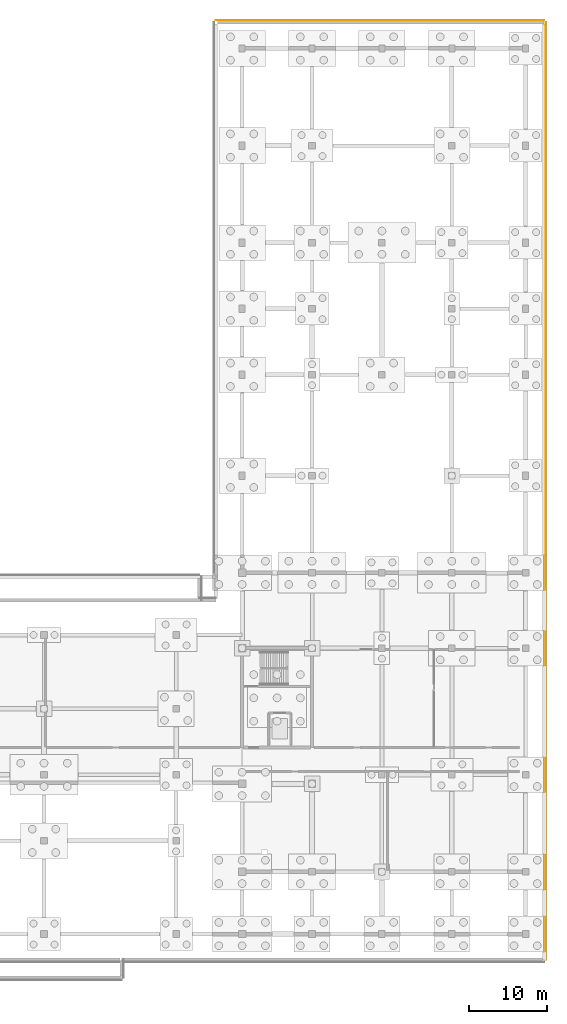
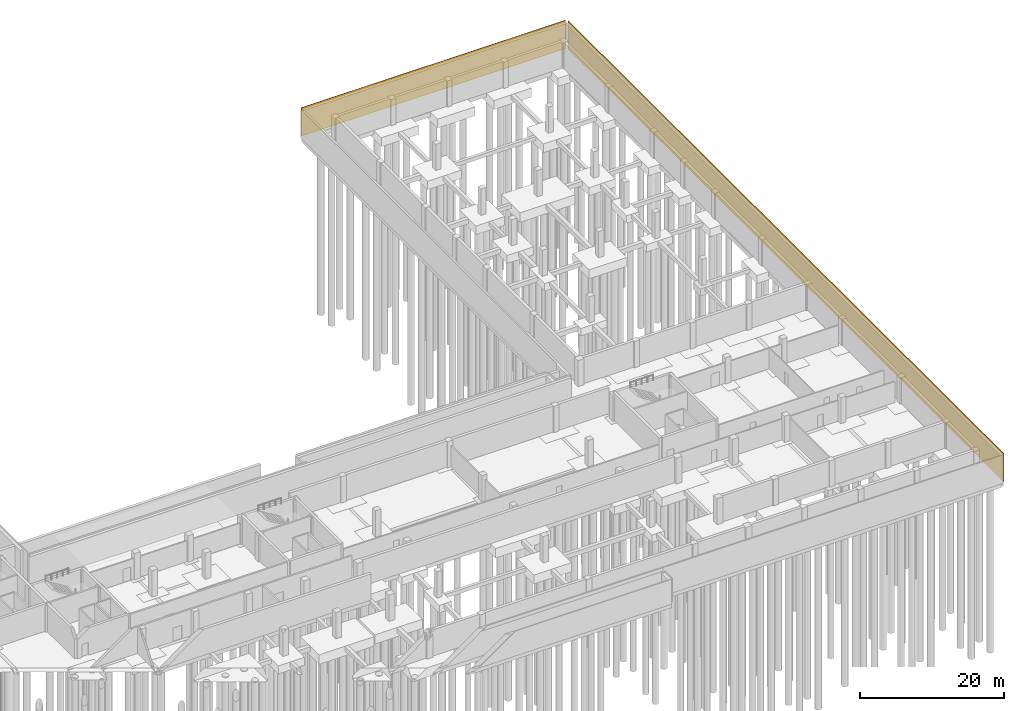
# One storey, part 24 of 25: 2 coverings.
"""IFC4 building model written with IfcOpenShell, lengths in metres."""

from ifc_helpers import new_model, si_unit, direction, frame, origin, origin_2d, place, context, subcontext, project, spatial, rectangle, extrude, material, layer, layer_set, type_object, element, save


model = new_model("IFC4")

# Units and contexts
model_context = context("Model", 3, precision=1e-05, world=origin(), true_north=direction((0.0, 1.0)))
body_context = subcontext(model_context, "Body", "Model", "MODEL_VIEW")
ifc_project = project(units=[si_unit("LENGTHUNIT", "METRE"), si_unit("AREAUNIT", "SQUARE_METRE"), si_unit("VOLUMEUNIT", "CUBIC_METRE"), si_unit("PLANEANGLEUNIT", "RADIAN"), si_unit("MASSUNIT", "GRAM", prefix="KILO")], contexts=[model_context])

# Site, building, storey
site_placement = place(None, origin())
site = spatial("IfcSite", under=ifc_project, at=site_placement, CompositionType="ELEMENT")
building_placement = place(site_placement, origin())
building = spatial("IfcBuilding", under=site, at=building_placement, Name="Solvikara Media Centre", CompositionType="ELEMENT")
storey_placement = place(building_placement, frame((0.0, 0.0, -4.800048828125)))
storey = spatial("IfcBuildingStorey", under=building, at=storey_placement, Name="B01", CompositionType="ELEMENT", Elevation=-4.800048828125)

# Coverings
ifc_material = material(Name="Reconstituted pale limestone flood-plinth cladding", Category="masonry")
ifc_layer = layer(ifc_material, 0.06005859375)
ifc_layer_set = layer_set([ifc_layer], Name="Reconstituted pale limestone flood-plinth cladding")
covering_type = type_object("IfcCoveringType", Name="CV-05", PredefinedType="CLADDING", material=ifc_layer_set)
covering_1_placement = place(storey_placement, frame((145.25, 117.635009765625, 0.0), z_axis=(0.0, 0.0, 1.0), x_axis=(1.0, 0.0, 0.0)))
element("IfcCovering", 1, at=covering_1_placement, inside=storey, type_object=covering_type, Name="PLN-NEE", PredefinedType="CLADDING", context=body_context, shape_type="SweptSolid", body=[
    extrude(rectangle(XDim=42.260009765625, YDim=0.06005859375, at=origin_2d()), origin(), (0.0, 0.0, 1.0), 4.800048828125),
])
covering_2_placement = place(storey_placement, frame((166.635009765625, 57.02490234375, 0.0), z_axis=(0.0, 0.0, 1.0), x_axis=(0.0, 1.0, 0.0)))
element("IfcCovering", 2, at=covering_2_placement, inside=storey, type_object=covering_type, Name="PLN-EAST", PredefinedType="CLADDING", context=body_context, shape_type="SweptSolid", body=[
    extrude(rectangle(XDim=120.7099609375, YDim=0.06005859375, at=origin_2d()), origin(), (0.0, 0.0, 1.0), 4.800048828125),
])

save(model, "model.ifc")
